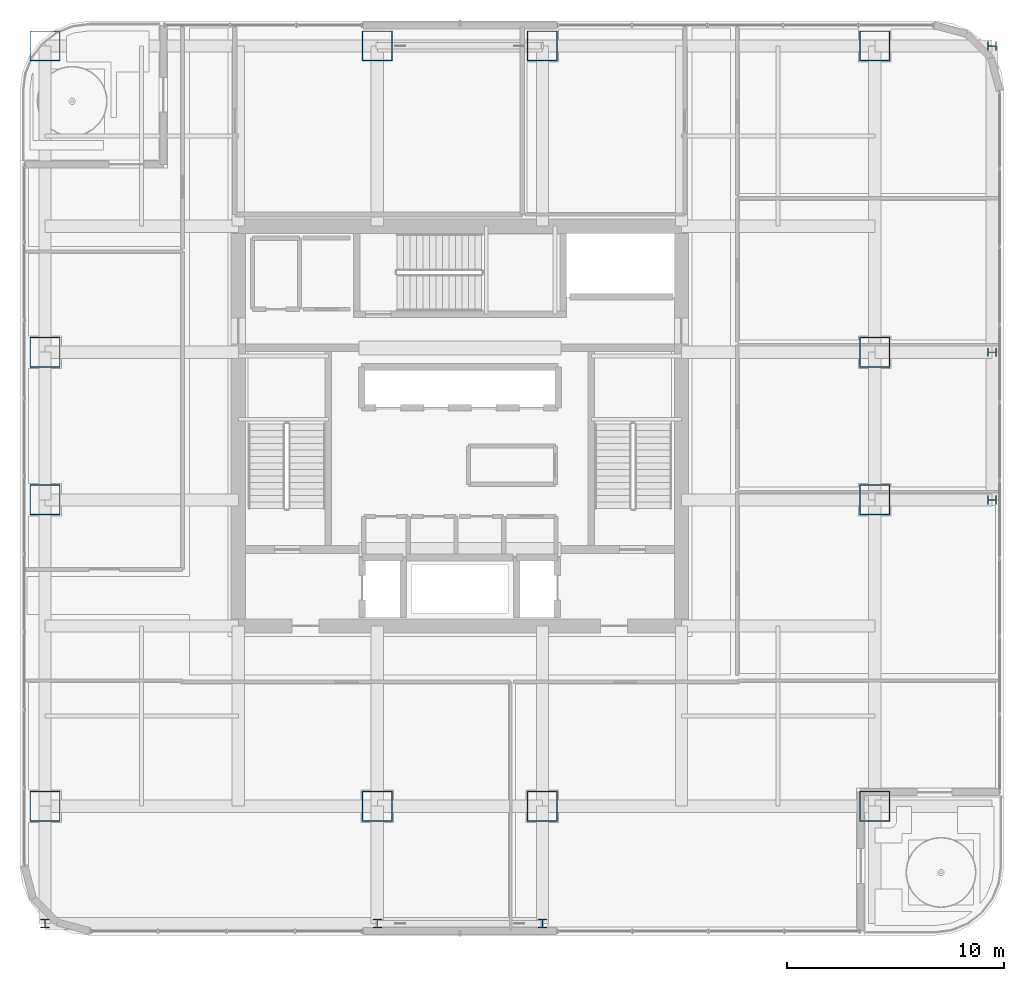
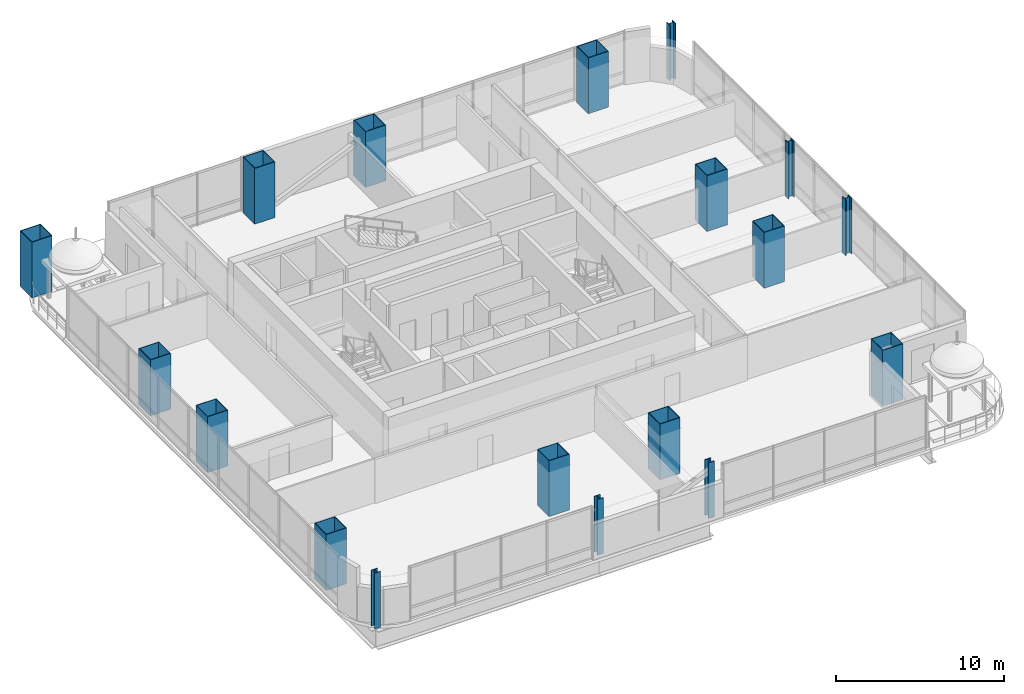
# One storey, part 1 of 41: 18 columns.
"""IFC4 building model written with IfcOpenShell, lengths in metres."""

from ifc_helpers import new_model, si_unit, direction, frame, origin, origin_2d, place, context, subcontext, project, spatial, hollow_rectangle, i_section, extrude, material, material_profile, profile_set, type_object, element, save


model = new_model("IFC4")

# Units and contexts
model_context = context("Model", 3, precision=1e-05, world=origin(), true_north=direction((0.0, 1.0)))
body_context = subcontext(model_context, "Body", "Model", "MODEL_VIEW")
ifc_project = project(units=[si_unit("LENGTHUNIT", "METRE"), si_unit("AREAUNIT", "SQUARE_METRE"), si_unit("VOLUMEUNIT", "CUBIC_METRE"), si_unit("PLANEANGLEUNIT", "RADIAN"), si_unit("MASSUNIT", "GRAM", prefix="KILO")], contexts=[model_context])

# Site, building, storey
site_placement = place(None, origin())
site = spatial("IfcSite", under=ifc_project, at=site_placement, CompositionType="ELEMENT")
building_placement = place(site_placement, origin())
building = spatial("IfcBuilding", under=site, at=building_placement, Name="Punatoya Terracotta Tower", CompositionType="ELEMENT")
storey_placement = place(building_placement, frame((0.0, 0.0, 220.800048828125)))
storey = spatial("IfcBuildingStorey", under=building, at=storey_placement, Name="L52", CompositionType="ELEMENT", Elevation=220.800048828125)

# Columns
ifc_material = material(Name="Steel S460", Category="steel")
ifc_material_profile_1 = material_profile(ifc_material, i_section(OverallWidth=0.408935546875, OverallDepth=0.425048828125, WebThickness=0.031982421875, FlangeThickness=0.052001953125, FilletRadius=0.01806640625, at=origin_2d()))
ifc_profile_set_1 = profile_set([ifc_material_profile_1], Name="Steel S460")
column_type_1 = type_object("IfcColumnType", Name="COL-EX-M2", PredefinedType="COLUMN", material=ifc_profile_set_1)
for number, where, z_axis, x_axis, name in (
    (1, (-19.10009765625, -22.89990234375, 0.0), (0.0, 0.0, 1.0), (1.0, 0.0, 0.0), "L52 Exoskeleton Perimeter Column S1"),
    (2, (-3.800048828125, -22.89990234375, 0.0), (0.0, 0.0, 1.0), (1.0, 0.0, 0.0), "L52 Exoskeleton Perimeter Column S2"),
    (3, (3.800048828125, -22.89990234375, 0.0), (0.0, 0.0, 1.0), (1.0, 0.0, 0.0), "L52 Exoskeleton Perimeter Column S3"),
    (4, (24.5, -3.39990234375, 0.0), (0.0, 0.0, 1.0), (0.0, 1.0, 0.0), "L52 Exoskeleton Perimeter Column E2"),
    (5, (24.5, 3.39990234375, 0.0), (0.0, 0.0, 1.0), (0.0, 1.0, 0.0), "L52 Exoskeleton Perimeter Column E3"),
    (6, (24.5, 17.5, 0.0), (0.0, 0.0, 1.0), (0.0, 1.0, 0.0), "L52 Exoskeleton Perimeter Column E4"),
):
    element("IfcColumn", number, at=place(storey_placement, frame(where, z_axis=z_axis, x_axis=x_axis)), inside=storey, type_object=column_type_1, Name=name, PredefinedType="COLUMN", context=body_context, shape_type="SweptSolid", body=[
        extrude(i_section(OverallWidth=0.408935546875, OverallDepth=0.425048828125, WebThickness=0.031982421875, FlangeThickness=0.052001953125, FilletRadius=0.01806640625, at=origin_2d()), origin(), (0.0, 0.0, 1.0), 4.0478515625),
    ])
ifc_material_profile_2 = material_profile(ifc_material, hollow_rectangle(XDim=1.39990234375, YDim=1.39990234375, WallThickness=0.0419921875, at=origin_2d()))
ifc_profile_set_2 = profile_set([ifc_material_profile_2], Name="Steel S460")
column_type_2 = type_object("IfcColumnType", Name="COL-MC-Z2", PredefinedType="COLUMN", material=ifc_profile_set_2)
for number, where, z_axis, x_axis, name in (
    (7, (-19.10009765625, -17.5, 0.0), (0.0, 0.0, 1.0), (1.0, 0.0, 0.0), "L52 Composite Mega-Column MC-01 (3-B)"),
    (8, (-3.800048828125, -17.5, 0.0), (0.0, 0.0, 1.0), (1.0, 0.0, 0.0), "L52 Composite Mega-Column MC-02 (5-B)"),
    (9, (3.800048828125, -17.5, 0.0), (0.0, 0.0, 1.0), (1.0, 0.0, 0.0), "L52 Composite Mega-Column MC-03 (7-B)"),
    (10, (19.10009765625, -17.5, 0.0), (0.0, 0.0, 1.0), (1.0, 0.0, 0.0), "L52 Composite Mega-Column MC-04 (9-B)"),
    (11, (19.10009765625, -3.39990234375, 0.0), (0.0, 0.0, 1.0), (1.0, 0.0, 0.0), "L52 Composite Mega-Column MC-05 (9-D)"),
    (12, (19.10009765625, 3.39990234375, 0.0), (0.0, 0.0, 1.0), (1.0, 0.0, 0.0), "L52 Composite Mega-Column MC-06 (9-E)"),
    (13, (19.10009765625, 17.5, 0.0), (0.0, 0.0, 1.0), (1.0, 0.0, 0.0), "L52 Composite Mega-Column MC-07 (9-G)"),
    (14, (3.800048828125, 17.5, 0.0), (0.0, 0.0, 1.0), (1.0, 0.0, 0.0), "L52 Composite Mega-Column MC-08 (7-G)"),
    (15, (-3.800048828125, 17.5, 0.0), (0.0, 0.0, 1.0), (1.0, 0.0, 0.0), "L52 Composite Mega-Column MC-09 (5-G)"),
    (16, (-19.10009765625, 17.5, 0.0), (0.0, 0.0, 1.0), (1.0, 0.0, 0.0), "L52 Composite Mega-Column MC-10 (3-G)"),
    (17, (-19.10009765625, 3.39990234375, 0.0), (0.0, 0.0, 1.0), (1.0, 0.0, 0.0), "L52 Composite Mega-Column MC-11 (3-E)"),
    (18, (-19.10009765625, -3.39990234375, 0.0), (0.0, 0.0, 1.0), (1.0, 0.0, 0.0), "L52 Composite Mega-Column MC-12 (3-D)"),
):
    element("IfcColumn", number, at=place(storey_placement, frame(where, z_axis=z_axis, x_axis=x_axis)), inside=storey, type_object=column_type_2, Name=name, PredefinedType="COLUMN", context=body_context, shape_type="SweptSolid", body=[
        extrude(hollow_rectangle(XDim=1.39990234375, YDim=1.39990234375, WallThickness=0.0419921875, at=origin_2d()), origin(), (0.0, 0.0, 1.0), 4.050048828125),
    ])

save(model, "model.ifc")
